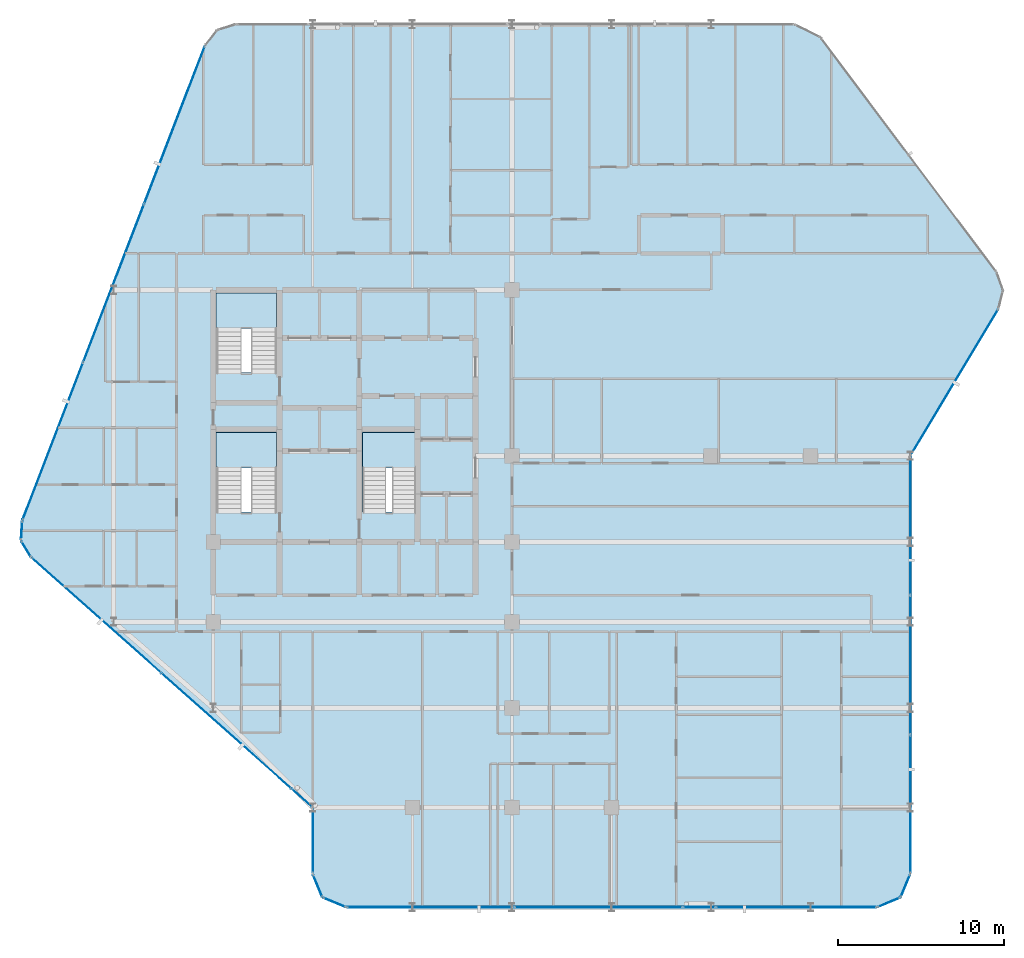
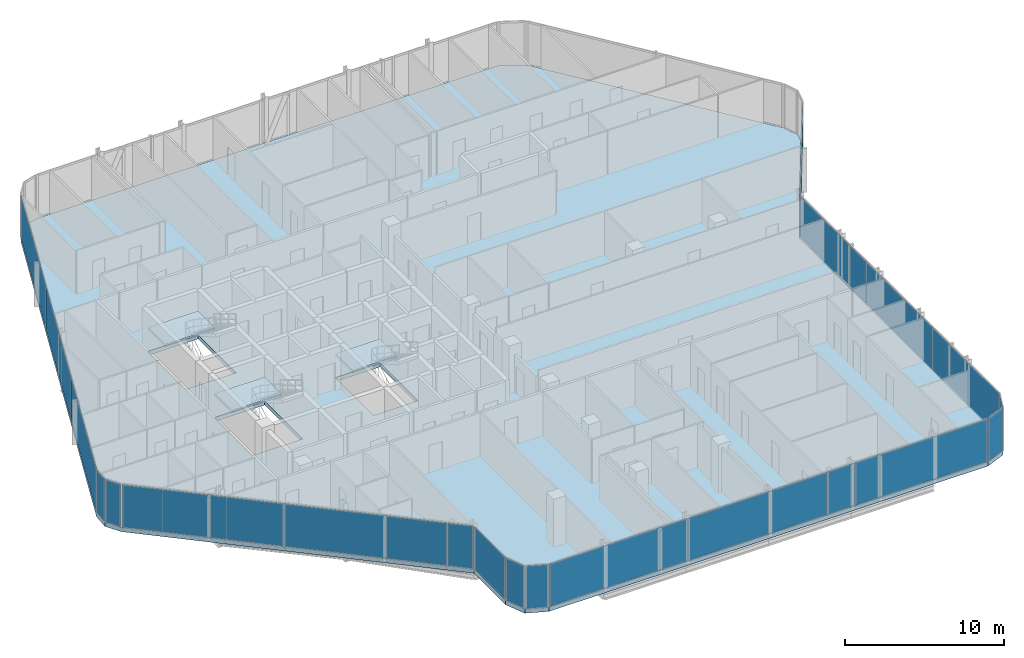
# One storey, part 23 of 31: 21 plates, 4 slabs, 18 elements without a shape of their own.
"""IFC4 building model written with IfcOpenShell, lengths in metres."""

import ifcopenshell
import ifcopenshell.guid

model = None  # the IFC model being written
_history = None  # IfcOwnerHistory: only IFC2X3 demands one
_inside = {}  # id of a spatial element -> (the spatial element, [elements in it])
_under = {}  # id of a project, library or spatial element -> (it, [spatial elements below it])
_declared = {}  # id of a project -> (the project, [libraries it declares])
_typed = {}  # id of a type object -> (the type object, [elements of that type])
_made_of = {}  # id of a material, layer set ... -> (it, [elements and type objects made of it])


def new_model(schema):
    """Start an empty IFC model of exactly this schema.

    Asked for "IFC4X3", IfcOpenShell would pick the latest addendum, in which some entities
    have other attributes; the version numbers below select the first issue.
    IFC2X3 requires an IfcOwnerHistory on every rooted entity: one is made here for all.
    """
    global model, _history
    if schema == "IFC4X3":
        model = ifcopenshell.file(schema_version=(4, 3, 0, 0))
    else:
        model = ifcopenshell.file(schema=schema)
    _inside.clear()
    _under.clear()
    _declared.clear()
    _typed.clear()
    _made_of.clear()
    _history = None
    if model.schema == "IFC2X3":
        org = make("IfcOrganization", Name="unknown")
        user = make(
            "IfcPersonAndOrganization",
            ThePerson=make("IfcPerson", FamilyName="unknown"),
            TheOrganization=org,
        )
        app = make(
            "IfcApplication",
            ApplicationDeveloper=org,
            Version="unknown",
            ApplicationFullName="unknown",
            ApplicationIdentifier="unknown",
        )
        _history = make(
            "IfcOwnerHistory",
            OwningUser=user,
            OwningApplication=app,
            ChangeAction="ADDED",
            CreationDate=0,
        )
    return model


def make(cls, **values):
    """One entity of the class cls with the attributes given. An attribute that is None is left unset."""
    return model.create_entity(
        cls, **{name: value for name, value in values.items() if value is not None}
    )


def rooted(cls, **values):
    """An entity with a GlobalId (a new one), such as an element, a storey or a relation."""
    return make(cls, GlobalId=ifcopenshell.guid.new(), OwnerHistory=_history, **values)


def si_unit(unit_type, name, prefix=None):
    """IfcSIUnit, for example si_unit("LENGTHUNIT", "METRE", prefix="MILLI")."""
    return make("IfcSIUnit", UnitType=unit_type, Prefix=prefix, Name=name)


def assignment(units):
    """IfcUnitAssignment: the units of a project."""
    return None if units is None else make("IfcUnitAssignment", Units=units)


def point(xyz):
    """IfcCartesianPoint."""
    return None if xyz is None else make("IfcCartesianPoint", Coordinates=xyz)


def direction(xyz):
    """IfcDirection."""
    return None if xyz is None else make("IfcDirection", DirectionRatios=xyz)


def frame(location, z_axis=None, x_axis=None):
    """IfcAxis2Placement3D, a coordinate frame: its origin and axes. An axis left out is left unset."""
    return make(
        "IfcAxis2Placement3D",
        Location=point(location),
        Axis=direction(z_axis),
        RefDirection=direction(x_axis),
    )


def frame_2d(location, x_axis=None):
    """IfcAxis2Placement2D, a coordinate frame in the plane: its origin and x axis."""
    return make(
        "IfcAxis2Placement2D", Location=point(location), RefDirection=direction(x_axis)
    )


def origin():
    """The frame at (0, 0, 0) with its axes left unset."""
    return frame((0.0, 0.0, 0.0))


def origin_2d():
    """The frame at (0, 0) in the plane with its x axis left unset."""
    return frame_2d((0.0, 0.0))


def place(relative_to, where):
    """IfcLocalPlacement: puts the frame where relative to a parent placement (None: the world)."""
    return make(
        "IfcLocalPlacement", PlacementRelTo=relative_to, RelativePlacement=where
    )


def context(
    kind, dimensions, precision=None, world=None, true_north=None, identifier=None
):
    """IfcGeometricRepresentationContext, for example the 3D "Model" context."""
    return make(
        "IfcGeometricRepresentationContext",
        ContextIdentifier=identifier,
        ContextType=kind,
        CoordinateSpaceDimension=dimensions,
        Precision=precision,
        WorldCoordinateSystem=world,
        TrueNorth=true_north,
    )


def subcontext(parent, identifier, kind, view, scale=None):
    """IfcGeometricRepresentationSubContext, for example "Body" below "Model"."""
    return make(
        "IfcGeometricRepresentationSubContext",
        ContextIdentifier=identifier,
        ContextType=kind,
        ParentContext=parent,
        TargetScale=scale,
        TargetView=view,
    )


def project(units=None, contexts=None):
    """IfcProject with its units and contexts."""
    return rooted(
        "IfcProject",
        Name="project",
        RepresentationContexts=contexts,
        UnitsInContext=assignment(units),
    )


def spatial(cls, under=None, at=None, **own):
    """A site, building, storey or space (cls), placed at a placement, below another one or the project."""
    s = rooted(cls, ObjectPlacement=at, **own)
    if under is not None:
        _under.setdefault(under.id(), (under, []))[1].append(s)
    return s


def polyline(points):
    """IfcPolyline through the points."""
    return make("IfcPolyline", Points=[point(p) for p in points])


def profile(cls, at=None, kind="AREA", **sizes):
    """A parametric profile (cls). Its sizes go by their IFC names, for example OverallWidth=200.0."""
    return make(cls, ProfileType=kind, Position=at, **sizes)


def rectangle(**sizes):
    """IfcRectangleProfileDef."""
    return profile("IfcRectangleProfileDef", **sizes)


def outline(outer, holes=None, kind="AREA"):
    """IfcArbitraryClosedProfileDef: a profile drawn as a closed curve; with holes, ...WithVoids."""
    if holes is None:
        return make("IfcArbitraryClosedProfileDef", ProfileType=kind, OuterCurve=outer)
    return make(
        "IfcArbitraryProfileDefWithVoids",
        ProfileType=kind,
        OuterCurve=outer,
        InnerCurves=holes,
    )


def extrude(swept, where, along, depth):
    """IfcExtrudedAreaSolid: the profile swept, set in the frame where, extruded along a direction by depth."""
    return make(
        "IfcExtrudedAreaSolid",
        SweptArea=swept,
        Position=where,
        ExtrudedDirection=direction(along),
        Depth=depth,
    )


def shape(context_of_items, identifier, shape_type, items):
    """IfcShapeRepresentation: the items that make up one representation, for example the "Body"."""
    return make(
        "IfcShapeRepresentation",
        ContextOfItems=context_of_items,
        RepresentationIdentifier=identifier,
        RepresentationType=shape_type,
        Items=items,
    )


def material(Name=None, Category=None):
    """IfcMaterial."""
    return make("IfcMaterial", Name=Name, Category=Category)


def layer(
    of_material, thickness, ventilated=None, Name=None, Category=None, Priority=None
):
    """IfcMaterialLayer: one layer of a wall or slab, of a material (None: an air gap)."""
    return make(
        "IfcMaterialLayer",
        Material=of_material,
        LayerThickness=thickness,
        IsVentilated=ventilated,
        Name=Name,
        Category=Category,
        Priority=Priority,
    )


def layer_set(layers, Name=None):
    """IfcMaterialLayerSet."""
    return make("IfcMaterialLayerSet", MaterialLayers=layers, LayerSetName=Name)


def made_of(thing, what):
    """Note that an element or type object is made of a material, layer set ...; save() writes the relation."""
    if what is not None:
        _made_of.setdefault(what.id(), (what, []))[1].append(thing)
    return thing


def type_object(cls, material=None, **own):
    """A type object (cls), such as IfcWallType, which elements share."""
    return made_of(rooted(cls, **own), material)


def element(
    cls,
    number,
    at=None,
    inside=None,
    cuts=None,
    type_object=None,
    material=None,
    context=None,
    identifier="Body",
    shape_type=None,
    held_by="IfcProductDefinitionShape",
    body=None,
    shapes=None,
    **own,
):
    """One element of the class cls, such as IfcWall. Its Tag is "e" and its number.

    at: its placement. inside: the storey or other place that contains it. cuts: it is an
    opening in that element (IfcRelVoidsElement). A single representation is given by context,
    identifier, shape_type and body (its items); several are given by shapes. held_by: the class
    of the entity that holds the representations. save() writes the other relations.
    """
    e = rooted(cls, Tag="e%d" % number, ObjectPlacement=at, **own)
    if body is not None:
        shapes = [shape(context, identifier, shape_type, body)]
    if shapes is not None:
        e.Representation = make(held_by, Representations=shapes)
    if inside is not None:
        _inside.setdefault(inside.id(), (inside, []))[1].append(e)
    if cuts is not None:
        rooted(
            "IfcRelVoidsElement", RelatingBuildingElement=cuts, RelatedOpeningElement=e
        )
    if type_object is not None:
        _typed.setdefault(type_object.id(), (type_object, []))[1].append(e)
    return made_of(e, material)


def aggregate(whole, parts):
    """IfcRelAggregates: a whole, such as a stair, and the parts it consists of."""
    return rooted("IfcRelAggregates", RelatingObject=whole, RelatedObjects=parts)


def save(model, path):
    """Write the relations noted so far, then the file.

    IfcRelAggregates (storeys below a building ...), IfcRelContainedInSpatialStructure (elements
    in a storey), IfcRelDefinesByType, IfcRelAssociatesMaterial and IfcRelDeclares: one each for
    every whole, place, type object, material and project.
    """
    for whole, parts in _under.values():
        aggregate(whole, parts)
    for where, things in _inside.values():
        rooted(
            "IfcRelContainedInSpatialStructure",
            RelatedElements=things,
            RelatingStructure=where,
        )
    for kind, things in _typed.values():
        rooted("IfcRelDefinesByType", RelatedObjects=things, RelatingType=kind)
    for what, things in _made_of.values():
        rooted("IfcRelAssociatesMaterial", RelatedObjects=things, RelatingMaterial=what)
    for by, libraries in _declared.values():
        rooted("IfcRelDeclares", RelatingContext=by, RelatedDefinitions=libraries)
    model.write(path)


model = new_model("IFC4")

# Units and contexts
model_context = context("Model", 3, precision=1e-05, world=origin(), true_north=direction((0.0, 1.0)))
body_context = subcontext(model_context, "Body", "Model", "MODEL_VIEW")
ifc_project = project(units=[si_unit("LENGTHUNIT", "METRE"), si_unit("AREAUNIT", "SQUARE_METRE"), si_unit("VOLUMEUNIT", "CUBIC_METRE"), si_unit("PLANEANGLEUNIT", "RADIAN"), si_unit("MASSUNIT", "GRAM", prefix="KILO")], contexts=[model_context])

# Site, building, storey
site_placement = place(None, origin())
site = spatial("IfcSite", under=ifc_project, at=site_placement, CompositionType="ELEMENT")
building_placement = place(site_placement, origin())
building = spatial("IfcBuilding", under=site, at=building_placement, Name="Keshet Zoharim Tower", CompositionType="ELEMENT")
storey_placement = place(building_placement, frame((0.0, 0.0, 133.5)))
storey = spatial("IfcBuildingStorey", under=building, at=storey_placement, Name="L32", CompositionType="ELEMENT", Elevation=133.5)

# Curtain wall, plate
ifc_material_1 = material(Name="Aluminium 6063-T6", Category="aluminium")
ifc_layer_1 = layer(ifc_material_1, 0.159912109375)
ifc_layer_set_1 = layer_set([ifc_layer_1], Name="Aluminium 6063-T6")
curtain_wall_type = type_object("IfcCurtainWallType", Name="CW-SYS-03", PredefinedType="NOTDEFINED", material=ifc_layer_set_1)
curtain_wall_1_placement = place(storey_placement, origin())
curtain_wall_1 = element("IfcCurtainWall", 1, at=curtain_wall_1_placement, inside=storey, type_object=curtain_wall_type, Name="L32 Unitised Curtain Wall 01", PredefinedType="NOTDEFINED")
ifc_material_2 = material(Name="Insulated Low-E Clear Glass", Category="glass")
ifc_layer_2 = layer(ifc_material_2, 0.035888671875)
ifc_layer_set_2 = layer_set([ifc_layer_2], Name="Insulated Low-E Clear Glass")
plate_type_1 = type_object("IfcPlateType", Name="CWP-01", PredefinedType="CURTAIN_PANEL", material=ifc_layer_set_2)
plate_1_placement = place(storey_placement, frame((56.70703125, 1.992919921875, 0.06982421875), z_axis=(0.0, 0.0, 1.0), x_axis=(-0.382851849847, -0.92380975372, 0.0)))
plate_1 = element("IfcPlate", 2, at=plate_1_placement, type_object=plate_type_1, Name="CW-03 panel 1.1", PredefinedType="CURTAIN_PANEL", context=body_context, shape_type="SweptSolid", body=[
    extrude(rectangle(XDim=1.390625, YDim=0.035888671875, at=origin_2d()), origin(), (0.0, 0.0, 1.0), 3.2451171875),
])
aggregate(curtain_wall_1, [plate_1])

curtain_wall_2_placement = place(storey_placement, origin())
curtain_wall_2 = element("IfcCurtainWall", 3, at=curtain_wall_2_placement, inside=storey, type_object=curtain_wall_type, Name="L32 Unitised Curtain Wall 02", PredefinedType="NOTDEFINED")
plate_2_placement = place(storey_placement, frame((55.70703125, 0.992919921875, 0.06982421875), z_axis=(0.0, 0.0, 1.0), x_axis=(-0.92380975372, -0.382851849847, 0.0)))
plate_2 = element("IfcPlate", 4, at=plate_2_placement, type_object=plate_type_1, Name="CW-03 panel 1.1", PredefinedType="CURTAIN_PANEL", context=body_context, shape_type="SweptSolid", body=[
    extrude(rectangle(XDim=1.390625, YDim=0.035888671875, at=origin_2d()), origin(), (0.0, 0.0, 1.0), 3.2451171875),
])
aggregate(curtain_wall_2, [plate_2])

curtain_wall_3_placement = place(storey_placement, origin())
curtain_wall_3 = element("IfcCurtainWall", 5, at=curtain_wall_3_placement, inside=storey, type_object=curtain_wall_type, Name="L32 Unitised Curtain Wall 03", PredefinedType="NOTDEFINED")
plate_3_placement = place(storey_placement, frame((50.1240234375, 0.699951171875, 0.06982421875), z_axis=(0.0, 0.0, 1.0), x_axis=(-1.0, 0.0, 0.0)))
plate_3 = element("IfcPlate", 6, at=plate_3_placement, type_object=plate_type_1, Name="CW-03 panel 1.1", PredefinedType="CURTAIN_PANEL", context=body_context, shape_type="SweptSolid", body=[
    extrude(rectangle(XDim=9.61181640625, YDim=0.035888671875, at=origin_2d()), origin(), (0.0, 0.0, 1.0), 3.2451171875),
])
aggregate(curtain_wall_3, [plate_3])

# Curtain wall, plates
curtain_wall_4_placement = place(storey_placement, origin())
curtain_wall_4 = element("IfcCurtainWall", 7, at=curtain_wall_4_placement, inside=storey, type_object=curtain_wall_type, Name="L32 Unitised Curtain Wall 03 Part 3", PredefinedType="NOTDEFINED")
plate_4_placement = place(storey_placement, frame((38.20654296875, 0.699951171875, 0.06982421875), z_axis=(0.0, 0.0, 1.0), x_axis=(-1.0, 0.0, 0.0)))
plate_4 = element("IfcPlate", 8, at=plate_4_placement, type_object=plate_type_1, Name="CW-03 panel 1.1", PredefinedType="CURTAIN_PANEL", context=body_context, shape_type="SweptSolid", body=[
    extrude(rectangle(XDim=10.091064453125, YDim=0.035888671875, at=origin_2d()), origin(), (0.0, 0.0, 1.0), 3.2451171875),
])
plate_5_placement = place(storey_placement, frame((28.08056640625, 0.699951171875, 0.06982421875), z_axis=(0.0, 0.0, 1.0), x_axis=(-1.0, 0.0, 0.0)))
plate_5 = element("IfcPlate", 9, at=plate_5_placement, type_object=plate_type_1, Name="CW-03 panel 2.1", PredefinedType="CURTAIN_PANEL", context=body_context, shape_type="SweptSolid", body=[
    extrude(rectangle(XDim=10.02099609375, YDim=0.035888671875, at=origin_2d()), origin(), (0.0, 0.0, 1.0), 3.2451171875),
])
aggregate(curtain_wall_4, [plate_4, plate_5])

# Curtain wall, plate
curtain_wall_5_placement = place(storey_placement, origin())
curtain_wall_5 = element("IfcCurtainWall", 10, at=curtain_wall_5_placement, inside=storey, type_object=curtain_wall_type, Name="L32 Unitised Curtain Wall 04", PredefinedType="NOTDEFINED")
plate_6_placement = place(storey_placement, frame((22.29296875, 0.992919921875, 0.06982421875), z_axis=(0.0, 0.0, 1.0), x_axis=(-0.92380975372, 0.382851849847, 0.0)))
plate_6 = element("IfcPlate", 11, at=plate_6_placement, type_object=plate_type_1, Name="CW-03 panel 1.1", PredefinedType="CURTAIN_PANEL", context=body_context, shape_type="SweptSolid", body=[
    extrude(rectangle(XDim=1.390625, YDim=0.035888671875, at=origin_2d()), origin(), (0.0, 0.0, 1.0), 3.2451171875),
])
aggregate(curtain_wall_5, [plate_6])

curtain_wall_6_placement = place(storey_placement, origin())
curtain_wall_6 = element("IfcCurtainWall", 12, at=curtain_wall_6_placement, inside=storey, type_object=curtain_wall_type, Name="L32 Unitised Curtain Wall 05", PredefinedType="NOTDEFINED")
plate_7_placement = place(storey_placement, frame((21.29296875, 1.992919921875, 0.06982421875), z_axis=(0.0, 0.0, 1.0), x_axis=(-0.382851849847, 0.92380975372, 0.0)))
plate_7 = element("IfcPlate", 13, at=plate_7_placement, type_object=plate_type_1, Name="CW-03 panel 1.1", PredefinedType="CURTAIN_PANEL", context=body_context, shape_type="SweptSolid", body=[
    extrude(rectangle(XDim=1.390625, YDim=0.035888671875, at=origin_2d()), origin(), (0.0, 0.0, 1.0), 3.2451171875),
])
aggregate(curtain_wall_6, [plate_7])

curtain_wall_7_placement = place(storey_placement, origin())
curtain_wall_7 = element("IfcCurtainWall", 14, at=curtain_wall_7_placement, inside=storey, type_object=curtain_wall_type, Name="L32 Unitised Curtain Wall 06", PredefinedType="NOTDEFINED")
plate_8_placement = place(storey_placement, frame((21.0, 4.699951171875, 0.06982421875), z_axis=(0.0, 0.0, 1.0), x_axis=(0.0, 1.0, 0.0)))
plate_8 = element("IfcPlate", 15, at=plate_8_placement, type_object=plate_type_1, Name="CW-03 panel 1.1", PredefinedType="CURTAIN_PANEL", context=body_context, shape_type="SweptSolid", body=[
    extrude(rectangle(XDim=3.860107421875, YDim=0.035888671875, at=origin_2d()), origin(), (0.0, 0.0, 1.0), 3.2451171875),
])
aggregate(curtain_wall_7, [plate_8])

# Curtain wall, plates
curtain_wall_8_placement = place(storey_placement, origin())
curtain_wall_8 = element("IfcCurtainWall", 16, at=curtain_wall_8_placement, inside=storey, type_object=curtain_wall_type, Name="L32 Unitised Curtain Wall 07 Part 2", PredefinedType="NOTDEFINED")
plate_9_placement = place(storey_placement, frame((15.79296875, 11.328369140625, 0.06982421875), z_axis=(0.0, 0.0, 1.0), x_axis=(-0.747409582009, 0.664363542589, 0.0)))
plate_9 = element("IfcPlate", 17, at=plate_9_placement, type_object=plate_type_1, Name="CW-03 panel 1.1", PredefinedType="CURTAIN_PANEL", context=body_context, shape_type="SweptSolid", body=[
    extrude(rectangle(XDim=10.441162109375, YDim=0.035888671875, at=origin_2d()), origin(), (0.0, 0.0, 1.0), 3.2451171875),
])
plate_10_placement = place(storey_placement, frame((7.963134765625, 18.288330078125, 0.06982421875), z_axis=(0.0, 0.0, 1.0), x_axis=(-0.747409582009, 0.664363542589, 0.0)))
plate_10 = element("IfcPlate", 18, at=plate_10_placement, type_object=plate_type_1, Name="CW-03 panel 2.1", PredefinedType="CURTAIN_PANEL", context=body_context, shape_type="SweptSolid", body=[
    extrude(rectangle(XDim=10.37109375, YDim=0.035888671875, at=origin_2d()), origin(), (0.0, 0.0, 1.0), 3.2451171875),
])
aggregate(curtain_wall_8, [plate_9, plate_10])

# Curtain wall, plate
curtain_wall_9_placement = place(storey_placement, origin())
curtain_wall_9 = element("IfcCurtainWall", 19, at=curtain_wall_9_placement, inside=storey, type_object=curtain_wall_type, Name="L32 Unitised Curtain Wall 08", PredefinedType="NOTDEFINED")
plate_11_placement = place(storey_placement, frame((3.7275390625, 22.291015625, 0.06982421875), z_axis=(0.0, 0.0, 1.0), x_axis=(-0.515604947933, 0.856826433805, 0.0)))
plate_11 = element("IfcPlate", 20, at=plate_11_placement, type_object=plate_type_1, Name="CW-03 panel 1.1", PredefinedType="CURTAIN_PANEL", context=body_context, shape_type="SweptSolid", body=[
    extrude(rectangle(XDim=1.052734375, YDim=0.035888671875, at=origin_2d()), origin(), (0.0, 0.0, 1.0), 3.2451171875),
])
aggregate(curtain_wall_9, [plate_11])

curtain_wall_10_placement = place(storey_placement, origin())
curtain_wall_10 = element("IfcCurtainWall", 21, at=curtain_wall_10_placement, inside=storey, type_object=curtain_wall_type, Name="L32 Unitised Curtain Wall 09", PredefinedType="NOTDEFINED")
plate_12_placement = place(storey_placement, frame((3.45849609375, 23.3974609375, 0.06982421875), z_axis=(0.0, 0.0, 1.0), x_axis=(0.064516859374, 0.997916617186, 0.0)))
plate_12 = element("IfcPlate", 22, at=plate_12_placement, type_object=plate_type_1, Name="CW-03 panel 1.1", PredefinedType="CURTAIN_PANEL", context=body_context, shape_type="SweptSolid", body=[
    extrude(rectangle(XDim=1.053466796875, YDim=0.035888671875, at=origin_2d()), origin(), (0.0, 0.0, 1.0), 3.2451171875),
])
aggregate(curtain_wall_10, [plate_12])

# Curtain wall, plates
curtain_wall_11_placement = place(storey_placement, origin())
curtain_wall_11 = element("IfcCurtainWall", 23, at=curtain_wall_11_placement, inside=storey, type_object=curtain_wall_type, Name="L32 Unitised Curtain Wall 10", PredefinedType="NOTDEFINED")
plate_13_placement = place(storey_placement, frame((5.33837890625, 28.7802734375, 0.06982421875), z_axis=(0.0, 0.0, 1.0), x_axis=(0.358990003907, 0.933341404361, 0.0)))
plate_13 = element("IfcPlate", 24, at=plate_13_placement, type_object=plate_type_1, Name="CW-03 panel 1.1", PredefinedType="CURTAIN_PANEL", context=body_context, shape_type="SweptSolid", body=[
    extrude(rectangle(XDim=10.1181640625, YDim=0.035888671875, at=origin_2d()), origin(), (0.0, 0.0, 1.0), 3.2451171875),
])
plate_14_placement = place(storey_placement, frame((9.001953125, 38.305419921875, 0.06982421875), z_axis=(0.0, 0.0, 1.0), x_axis=(0.358990003907, 0.933341404361, 0.0)))
plate_14 = element("IfcPlate", 25, at=plate_14_placement, type_object=plate_type_1, Name="CW-03 panel 2.1", PredefinedType="CURTAIN_PANEL", context=body_context, shape_type="SweptSolid", body=[
    extrude(rectangle(XDim=10.153076171875, YDim=0.035888671875, at=origin_2d()), origin(), (0.0, 0.0, 1.0), 3.2451171875),
])
plate_15_placement = place(storey_placement, frame((12.665771484375, 47.830810546875, 0.06982421875), z_axis=(0.0, 0.0, 1.0), x_axis=(0.358990003907, 0.933341404361, 0.0)))
plate_15 = element("IfcPlate", 26, at=plate_15_placement, type_object=plate_type_1, Name="CW-03 panel 3.1", PredefinedType="CURTAIN_PANEL", context=body_context, shape_type="SweptSolid", body=[
    extrude(rectangle(XDim=10.1181640625, YDim=0.035888671875, at=origin_2d()), origin(), (0.0, 0.0, 1.0), 3.2451171875),
])
aggregate(curtain_wall_11, [plate_13, plate_14, plate_15])

# Curtain wall, plate
curtain_wall_12_placement = place(storey_placement, origin())
curtain_wall_12 = element("IfcCurtainWall", 27, at=curtain_wall_12_placement, inside=storey, type_object=curtain_wall_type, Name="L32 Unitised Curtain Wall 18", PredefinedType="NOTDEFINED")
plate_16_placement = place(storey_placement, frame((59.654052734375, 32.323486328125, 0.06982421875), z_axis=(0.0, 0.0, 1.0), x_axis=(-0.514481501576, -0.857501477862, 0.0)))
plate_16 = element("IfcPlate", 28, at=plate_16_placement, type_object=plate_type_1, Name="CW-03 panel 1.1", PredefinedType="CURTAIN_PANEL", context=body_context, shape_type="SweptSolid", body=[
    extrude(rectangle(XDim=10.17724609375, YDim=0.035888671875, at=origin_2d()), origin(), (0.0, 0.0, 1.0), 3.2451171875),
])
aggregate(curtain_wall_12, [plate_16])

# Curtain wall, plates
curtain_wall_13_placement = place(storey_placement, origin())
curtain_wall_13 = element("IfcCurtainWall", 29, at=curtain_wall_13_placement, inside=storey, type_object=curtain_wall_type, Name="L32 Unitised Curtain Wall 19", PredefinedType="NOTDEFINED")
ifc_layer_3 = layer(ifc_material_2, 0.031982421875)
ifc_layer_set_3 = layer_set([ifc_layer_3], Name="Insulated Low-E Clear Glass")
plate_type_2 = type_object("IfcPlateType", Name="CWP-02", PredefinedType="CURTAIN_PANEL", material=ifc_layer_set_3)
plate_17_placement = place(storey_placement, frame((57.0, 23.6826171875, 0.06982421875), z_axis=(0.0, 0.0, 1.0), x_axis=(0.0, -1.0, 0.0)))
plate_17 = element("IfcPlate", 30, at=plate_17_placement, type_object=plate_type_2, Name="CW-03 panel 1.1", PredefinedType="CURTAIN_PANEL", context=body_context, shape_type="SweptSolid", body=[
    extrude(rectangle(XDim=8.294921875, YDim=0.031982421875, at=origin_2d()), origin(), (0.0, 0.0, 1.0), 3.2451171875),
])
plate_18_placement = place(storey_placement, frame((57.0, 15.300048828125, 0.06982421875), z_axis=(0.0, 0.0, 1.0), x_axis=(0.0, -1.0, 0.0)))
plate_18 = element("IfcPlate", 31, at=plate_18_placement, type_object=plate_type_2, Name="CW-03 panel 2.1", PredefinedType="CURTAIN_PANEL", context=body_context, shape_type="SweptSolid", body=[
    extrude(rectangle(XDim=8.330078125, YDim=0.031982421875, at=origin_2d()), origin(), (0.0, 0.0, 1.0), 3.2451171875),
])
plate_19_placement = place(storey_placement, frame((57.0, 6.91748046875, 0.06982421875), z_axis=(0.0, 0.0, 1.0), x_axis=(0.0, -1.0, 0.0)))
plate_19 = element("IfcPlate", 32, at=plate_19_placement, type_object=plate_type_2, Name="CW-03 panel 3.1", PredefinedType="CURTAIN_PANEL", context=body_context, shape_type="SweptSolid", body=[
    extrude(rectangle(XDim=8.294921875, YDim=0.031982421875, at=origin_2d()), origin(), (0.0, 0.0, 1.0), 3.2451171875),
])
aggregate(curtain_wall_13, [plate_17, plate_18, plate_19])

# Curtain wall, plate
curtain_wall_14_placement = place(storey_placement, origin())
curtain_wall_14 = element("IfcCurtainWall", 33, at=curtain_wall_14_placement, inside=storey, type_object=curtain_wall_type, Name="L32 Unitised Curtain Wall 03 Part 2", PredefinedType="NOTDEFINED")
ifc_material_3 = material(Name="Insulated Aluminium Spandrel Panel", Category="aluminium")
ifc_layer_4 = layer(ifc_material_3, 0.035888671875)
ifc_layer_set_4 = layer_set([ifc_layer_4], Name="Insulated Aluminium Spandrel Panel")
plate_type_3 = type_object("IfcPlateType", Name="CWP-04", PredefinedType="CURTAIN_PANEL", material=ifc_layer_set_4)
plate_20_placement = place(storey_placement, frame((44.284912109375, 0.699951171875, 0.06982421875), z_axis=(0.0, 0.0, 1.0), x_axis=(-1.0, 0.0, 0.0)))
plate_20 = element("IfcPlate", 34, at=plate_20_placement, type_object=plate_type_3, Name="CW-03 spandrel panel 1.1", PredefinedType="CURTAIN_PANEL", context=body_context, shape_type="SweptSolid", body=[
    extrude(rectangle(XDim=1.92626953125, YDim=0.035888671875, at=origin_2d()), origin(), (0.0, 0.0, 1.0), 3.2451171875),
])
aggregate(curtain_wall_14, [plate_20])

curtain_wall_15_placement = place(storey_placement, origin())
curtain_wall_15 = element("IfcCurtainWall", 35, at=curtain_wall_15_placement, inside=storey, type_object=curtain_wall_type, Name="L32 Unitised Curtain Wall 07", PredefinedType="NOTDEFINED")
plate_21_placement = place(storey_placement, frame((20.347412109375, 7.280029296875, 0.06982421875), z_axis=(0.0, 0.0, 1.0), x_axis=(-0.747406159057, 0.664367393393, 0.0)))
plate_21 = element("IfcPlate", 36, at=plate_21_placement, type_object=plate_type_3, Name="CW-03 spandrel panel 1.1", PredefinedType="CURTAIN_PANEL", context=body_context, shape_type="SweptSolid", body=[
    extrude(rectangle(XDim=1.606201171875, YDim=0.035888671875, at=origin_2d()), origin(), (0.0, 0.0, 1.0), 3.2451171875),
])
aggregate(curtain_wall_15, [plate_21])

# Stair, slab
ifc_material_4 = material(Name="Concrete C50/60", Category="concrete")
stair_type = type_object("IfcStairType", Name="STR-EXIT-135", PredefinedType="HALF_TURN_STAIR", material=ifc_material_4)
stair_1_placement = place(storey_placement, origin())
stair_1 = element("IfcStair", 37, at=stair_1_placement, inside=storey, type_object=stair_type, Name="L32 Enclosed Exit Stair ST-01", PredefinedType="HALF_TURN_STAIR")
ifc_layer_5 = layer(ifc_material_4, 0.199951171875)
ifc_layer_set_5 = layer_set([ifc_layer_5], Name="Concrete C50/60")
slab_type_1 = type_object("IfcSlabType", Name="SLB-LND-200", PredefinedType="LANDING", material=ifc_layer_set_5)
slab_1_placement = place(storey_placement, frame((0.0, 0.0, 1.64990234375)))
slab_1 = element("IfcSlab", 38, at=slab_1_placement, type_object=slab_type_1, Name="ST-01 landing 1", PredefinedType="LANDING", context=body_context, shape_type="SweptSolid", body=[
    extrude(outline(polyline([(15.179931640625, 27.159912109375), (18.820068359375, 27.159912109375), (18.820068359375, 29.320068359375), (15.179931640625, 29.320068359375), (15.179931640625, 27.159912109375)])), origin(), (0.0, 0.0, 1.0), 0.2001953125),
])
aggregate(stair_1, [slab_1])

stair_2_placement = place(storey_placement, origin())
stair_2 = element("IfcStair", 39, at=stair_2_placement, inside=storey, type_object=stair_type, Name="L32 Enclosed Exit Stair ST-02", PredefinedType="HALF_TURN_STAIR")
slab_2_placement = place(storey_placement, frame((0.0, 0.0, 1.64990234375)))
slab_2 = element("IfcSlab", 40, at=slab_2_placement, type_object=slab_type_1, Name="ST-02 landing 1", PredefinedType="LANDING", context=body_context, shape_type="SweptSolid", body=[
    extrude(outline(polyline([(15.179931640625, 35.56005859375), (18.820068359375, 35.56005859375), (18.820068359375, 37.719970703125), (15.179931640625, 37.719970703125), (15.179931640625, 35.56005859375)])), origin(), (0.0, 0.0, 1.0), 0.2001953125),
])
aggregate(stair_2, [slab_2])

stair_3_placement = place(storey_placement, origin())
stair_3 = element("IfcStair", 41, at=stair_3_placement, inside=storey, type_object=stair_type, Name="L32 Enclosed Exit Stair ST-03", PredefinedType="HALF_TURN_STAIR")
slab_3_placement = place(storey_placement, frame((0.0, 0.0, 1.64990234375)))
slab_3 = element("IfcSlab", 42, at=slab_3_placement, type_object=slab_type_1, Name="ST-03 landing 1", PredefinedType="LANDING", context=body_context, shape_type="SweptSolid", body=[
    extrude(outline(polyline([(23.97998046875, 27.159912109375), (27.219970703125, 27.159912109375), (27.219970703125, 29.320068359375), (23.97998046875, 29.320068359375), (23.97998046875, 27.159912109375)])), origin(), (0.0, 0.0, 1.0), 0.2001953125),
])
aggregate(stair_3, [slab_3])

# Slab
ifc_layer_6 = layer(ifc_material_4, 0.31494140625)
ifc_layer_set_6 = layer_set([ifc_layer_6], Name="Concrete C50/60")
slab_type_2 = type_object("IfcSlabType", Name="SLB-LOW-260", PredefinedType="FLOOR", material=ifc_layer_set_6)
slab_4_placement = place(storey_placement, frame((0.0, 0.0, -0.31494140625)))
element("IfcSlab", 43, at=slab_4_placement, inside=storey, type_object=slab_type_2, Name="L32 Structural Floor Slab 1", PredefinedType="FLOOR", context=body_context, shape_type="SweptSolid", body=[
    extrude(outline(polyline([(57.0, 2.699951171875), (56.4140625, 1.285888671875), (55.0, 0.699951171875), (23.0, 0.699951171875), (21.5859375, 1.285888671875), (21.0, 2.699951171875), (21.0, 6.699951171875), (4.034912109375, 21.780029296875), (3.419921875, 22.802001953125), (3.4970703125, 23.992919921875), (14.507080078125, 52.617919921875), (15.240966796875, 53.549072265625), (16.3740234375, 53.89990234375), (50.0, 53.89990234375), (51.60009765625, 53.10009765625), (62.193115234375, 38.97607421875), (62.590087890625, 37.87890625), (62.30810546875, 36.7470703125), (57.0, 27.89990234375), (57.0, 2.699951171875)]), holes=[polyline([(15.179931640625, 24.52001953125), (18.820068359375, 24.52001953125), (18.820068359375, 29.320068359375), (15.179931640625, 29.320068359375), (15.179931640625, 24.52001953125)]), polyline([(15.179931640625, 32.919921875), (18.820068359375, 32.919921875), (18.820068359375, 37.719970703125), (15.179931640625, 37.719970703125), (15.179931640625, 32.919921875)]), polyline([(23.97998046875, 24.52001953125), (27.219970703125, 24.52001953125), (27.219970703125, 29.320068359375), (23.97998046875, 29.320068359375), (23.97998046875, 24.52001953125)])]), origin(), (0.0, 0.0, 1.0), 0.31494140625),
])

save(model, "model.ifc")
